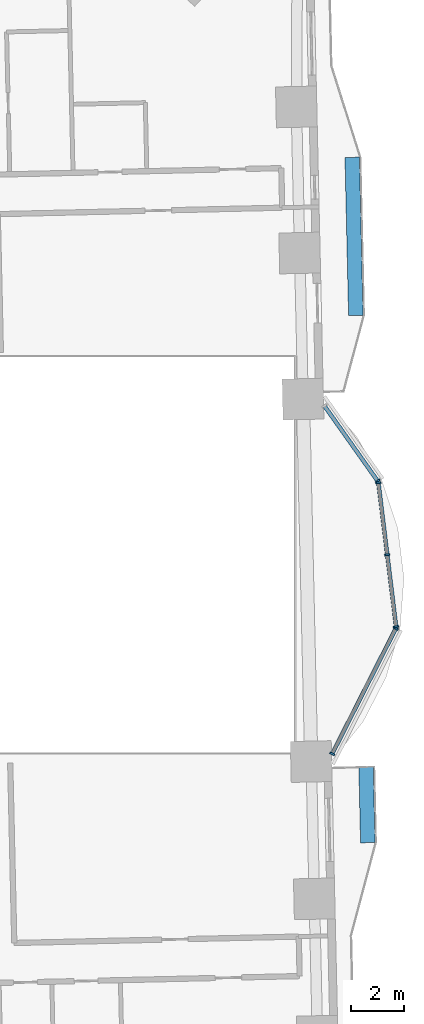
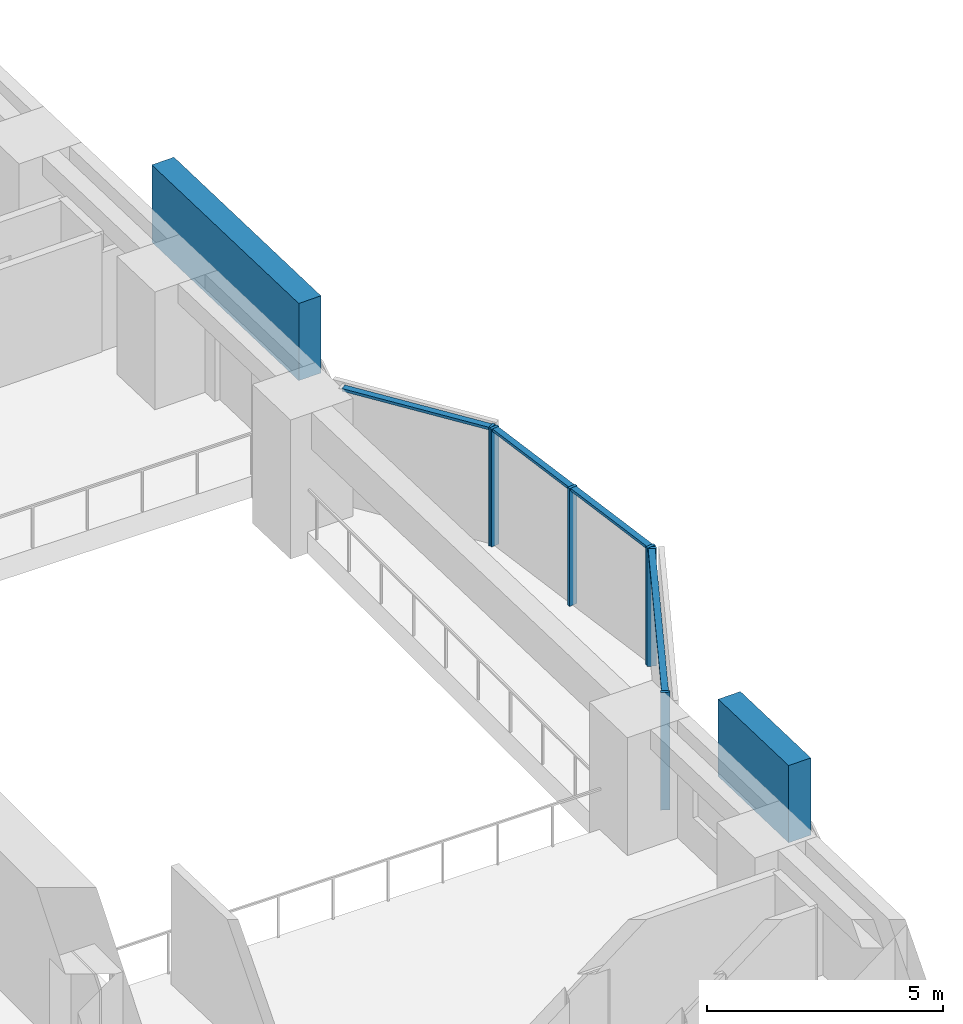
# One storey, part 3 of 16: 12 members, 3 elements without a shape of their own.
"""IFC4 building model written with IfcOpenShell, lengths in metres."""

from ifc_helpers import new_model, si_unit, direction, frame, origin, origin_2d, place, context, subcontext, project, spatial, rectangle, extrude, material, material_profile, profile_set, type_object, element, aggregate, save


model = new_model("IFC4")

# Units and contexts
model_context = context("Model", 3, precision=1e-05, world=origin(), true_north=direction((0.0, 1.0)))
body_context = subcontext(model_context, "Body", "Model", "MODEL_VIEW")
ifc_project = project(units=[si_unit("LENGTHUNIT", "METRE"), si_unit("AREAUNIT", "SQUARE_METRE"), si_unit("VOLUMEUNIT", "CUBIC_METRE"), si_unit("PLANEANGLEUNIT", "RADIAN"), si_unit("MASSUNIT", "GRAM", prefix="KILO")], contexts=[model_context])

# Site, building, storey
site_placement = place(None, origin())
site = spatial("IfcSite", under=ifc_project, at=site_placement, CompositionType="ELEMENT")
building_placement = place(site_placement, origin())
building = spatial("IfcBuilding", under=site, at=building_placement, Name="Mangrove Gate Tower", CompositionType="ELEMENT")
storey_placement = place(building_placement, frame((0.0, 0.0, 37.699951171875)))
storey = spatial("IfcBuildingStorey", under=building, at=storey_placement, Name="L08", CompositionType="ELEMENT", Elevation=37.699951171875)

# Curtain wall, members
ifc_material_1 = material(Name="Aluminium and glass curtain wall", Category="aluminium")
curtain_wall_type = type_object("IfcCurtainWallType", Name="Atrium garden-court glazing wall", PredefinedType="NOTDEFINED", material=ifc_material_1)
curtain_wall_1_placement = place(storey_placement, origin())
curtain_wall_1 = element("IfcCurtainWall", 1, at=curtain_wall_1_placement, inside=storey, type_object=curtain_wall_type, Name="Atrium garden-court glazing E1f1", PredefinedType="NOTDEFINED")
ifc_material_2 = material(Name="Aluminium alloy 6063-T6", Category="aluminium")
ifc_material_profile_1 = material_profile(ifc_material_2, rectangle(XDim=0.070068359375, YDim=0.199951171875, at=origin_2d()))
ifc_profile_set_1 = profile_set([ifc_material_profile_1], Name="Aluminium alloy 6063-T6")
member_type_1 = type_object("IfcMemberType", Name="Atrium garden-court glazing mullion 70x200", PredefinedType="MULLION", material=ifc_profile_set_1)
member_1_placement = place(storey_placement, frame((29.3681640625, -7.54833984375, 0.0), z_axis=(0.0, 0.0, 1.0), x_axis=(0.452600233136, 0.89171353526, 0.0)))
member_1 = element("IfcMember", 2, at=member_1_placement, type_object=member_type_1, Name="CWA mullion 1", PredefinedType="MULLION", context=body_context, shape_type="SweptSolid", body=[
    extrude(rectangle(XDim=0.070068359375, YDim=0.199951171875, at=origin_2d()), origin(), (0.0, 0.0, 1.0), 3.050048828125),
])
member_2_placement = place(storey_placement, frame((31.77978515625, -2.797119140625, 0.0), z_axis=(0.0, 0.0, 1.0), x_axis=(0.452600233136, 0.89171353526, 0.0)))
member_2 = element("IfcMember", 3, at=member_2_placement, type_object=member_type_1, Name="CWA mullion 2", PredefinedType="MULLION", context=body_context, shape_type="SweptSolid", body=[
    extrude(rectangle(XDim=0.070068359375, YDim=0.199951171875, at=origin_2d()), origin(), (0.0, 0.0, 1.0), 3.050048828125),
])

curtain_wall_2_placement = place(storey_placement, origin())
curtain_wall_2 = element("IfcCurtainWall", 4, at=curtain_wall_2_placement, inside=storey, type_object=curtain_wall_type, Name="Atrium garden-court glazing E1f2", PredefinedType="NOTDEFINED")
member_3_placement = place(storey_placement, frame((31.791259765625, -2.731201171875, 0.0), z_axis=(0.0, 0.0, 1.0), x_axis=(-0.122172285885, 0.992508908051, 0.0)))
member_3 = element("IfcMember", 5, at=member_3_placement, type_object=member_type_1, Name="CWA mullion 1", PredefinedType="MULLION", context=body_context, shape_type="SweptSolid", body=[
    extrude(rectangle(XDim=0.070068359375, YDim=0.199951171875, at=origin_2d()), origin(), (0.0, 0.0, 1.0), 3.050048828125),
])
member_4_placement = place(storey_placement, frame((31.455078125, -0.000244140625, 0.0), z_axis=(0.0, 0.0, 1.0), x_axis=(-0.122172285885, 0.992508908051, 0.0)))
member_4 = element("IfcMember", 6, at=member_4_placement, type_object=member_type_1, Name="CWA mullion 2", PredefinedType="MULLION", context=body_context, shape_type="SweptSolid", body=[
    extrude(rectangle(XDim=0.070068359375, YDim=0.199951171875, at=origin_2d()), origin(), (0.0, 0.0, 1.0), 3.050048828125),
])
member_5_placement = place(storey_placement, frame((31.118896484375, 2.73095703125, 0.0), z_axis=(0.0, 0.0, 1.0), x_axis=(-0.122172285885, 0.992508908051, 0.0)))
member_5 = element("IfcMember", 7, at=member_5_placement, type_object=member_type_1, Name="CWA mullion 3", PredefinedType="MULLION", context=body_context, shape_type="SweptSolid", body=[
    extrude(rectangle(XDim=0.070068359375, YDim=0.199951171875, at=origin_2d()), origin(), (0.0, 0.0, 1.0), 3.050048828125),
])

# Curtain wall, member
curtain_wall_3_placement = place(storey_placement, origin())
curtain_wall_3 = element("IfcCurtainWall", 8, at=curtain_wall_3_placement, inside=storey, type_object=curtain_wall_type, Name="Atrium garden-court glazing E1f3", PredefinedType="NOTDEFINED")
member_6_placement = place(storey_placement, frame((31.094482421875, 2.794189453125, 0.0), z_axis=(0.0, 0.0, 1.0), x_axis=(-0.578122631637, 0.815949889877, 0.0)))
member_6 = element("IfcMember", 9, at=member_6_placement, type_object=member_type_1, Name="CWA mullion 1", PredefinedType="MULLION", context=body_context, shape_type="SweptSolid", body=[
    extrude(rectangle(XDim=0.070068359375, YDim=0.199951171875, at=origin_2d()), origin(), (0.0, 0.0, 1.0), 3.050048828125),
])

# Member
ifc_material_3 = material(Name="Aluminium alloy 6063-T6", Category="aluminium")
ifc_material_profile_2 = material_profile(ifc_material_3, rectangle(XDim=0.070068359375, YDim=0.14990234375, at=origin_2d()))
ifc_profile_set_2 = profile_set([ifc_material_profile_2], Name="Aluminium alloy 6063-T6")
member_type_2 = type_object("IfcMemberType", Name="Atrium garden-court glazing transom 70x150", PredefinedType="USERDEFINED", material=ifc_profile_set_2)
member_7_placement = place(storey_placement, frame((29.384033203125, -7.51708984375, 3.01513671875), z_axis=(0.452610006929, 0.891708574383, 0.0), x_axis=(0.0, 0.0, 1.0)))
member_7 = element("IfcMember", 10, at=member_7_placement, type_object=member_type_2, Name="CWA transom 1.2", ObjectType="TRANSOM", PredefinedType="USERDEFINED", context=body_context, shape_type="SweptSolid", body=[
    extrude(rectangle(XDim=0.070068359375, YDim=0.14990234375, at=origin_2d()), origin(), (0.0, 0.0, 1.0), 5.258056640625),
])

aggregate(curtain_wall_1, [member_1, member_2, member_7])

member_8_placement = place(storey_placement, frame((31.787109375, -2.696533203125, 3.01513671875), z_axis=(-0.122174517154, 0.992508633392, 0.0), x_axis=(0.0, 0.0, 1.0)))
member_8 = element("IfcMember", 11, at=member_8_placement, type_object=member_type_2, Name="CWA transom 1.2", ObjectType="TRANSOM", PredefinedType="USERDEFINED", context=body_context, shape_type="SweptSolid", body=[
    extrude(rectangle(XDim=0.070068359375, YDim=0.14990234375, at=origin_2d()), origin(), (0.0, 0.0, 1.0), 2.681640625),
])

member_9_placement = place(storey_placement, frame((31.450927734375, 0.03466796875, 3.01513671875), z_axis=(-0.122174517154, 0.992508633392, 0.0), x_axis=(0.0, 0.0, 1.0)))
member_9 = element("IfcMember", 12, at=member_9_placement, type_object=member_type_2, Name="CWA transom 2.2", ObjectType="TRANSOM", PredefinedType="USERDEFINED", context=body_context, shape_type="SweptSolid", body=[
    extrude(rectangle(XDim=0.070068359375, YDim=0.14990234375, at=origin_2d()), origin(), (0.0, 0.0, 1.0), 2.681640625),
])

aggregate(curtain_wall_2, [member_3, member_4, member_5, member_8, member_9])

member_10_placement = place(storey_placement, frame((31.07421875, 2.82275390625, 3.01513671875), z_axis=(-0.578122045982, 0.815950304829, 0.0), x_axis=(0.0, 0.0, 1.0)))
member_10 = element("IfcMember", 13, at=member_10_placement, type_object=member_type_2, Name="CWA transom 1.2", ObjectType="TRANSOM", PredefinedType="USERDEFINED", context=body_context, shape_type="SweptSolid", body=[
    extrude(rectangle(XDim=0.070068359375, YDim=0.14990234375, at=origin_2d()), origin(), (0.0, 0.0, 1.0), 3.4287109375),
])

aggregate(curtain_wall_3, [member_6, member_10])

# Members
ifc_material_4 = material(Name="Planting on aluminium trellis", Category="aluminium")
ifc_material_profile_3 = material_profile(ifc_material_4, rectangle(XDim=0.550048828125, YDim=2.0, at=origin_2d()))
ifc_profile_set_3 = profile_set([ifc_material_profile_3], Name="Planting on aluminium trellis")
member_type_3 = type_object("IfcMemberType", Name="Balcony greenery screen 550x2000", PredefinedType="USERDEFINED", material=ifc_profile_set_3)
member_11_placement = place(storey_placement, frame((30.718017578125, -10.919921875, 1.800048828125), z_axis=(-0.022590224177, 0.999744808324, 0.0), x_axis=(-0.999744808324, -0.022590224177, 0.0)))
element("IfcMember", 14, at=member_11_placement, inside=storey, type_object=member_type_3, Name="GREEN SCREEN L08 E0.1", ObjectType="PLANTING", PredefinedType="USERDEFINED", context=body_context, shape_type="SweptSolid", body=[
    extrude(rectangle(XDim=0.550048828125, YDim=2.0, at=origin_2d()), origin(), (0.0, 0.0, 1.0), 2.874755859375),
])
member_12_placement = place(storey_placement, frame((30.263916015625, 9.074951171875, 1.800048828125), z_axis=(-0.022662255828, 0.999743178102, 0.0), x_axis=(-0.999743178102, -0.022662255828, 0.0)))
element("IfcMember", 15, at=member_12_placement, inside=storey, type_object=member_type_3, Name="GREEN SCREEN L08 E1.1", ObjectType="PLANTING", PredefinedType="USERDEFINED", context=body_context, shape_type="SweptSolid", body=[
    extrude(rectangle(XDim=0.550048828125, YDim=2.0, at=origin_2d()), origin(), (0.0, 0.0, 1.0), 6.00048828125),
])

save(model, "model.ifc")
